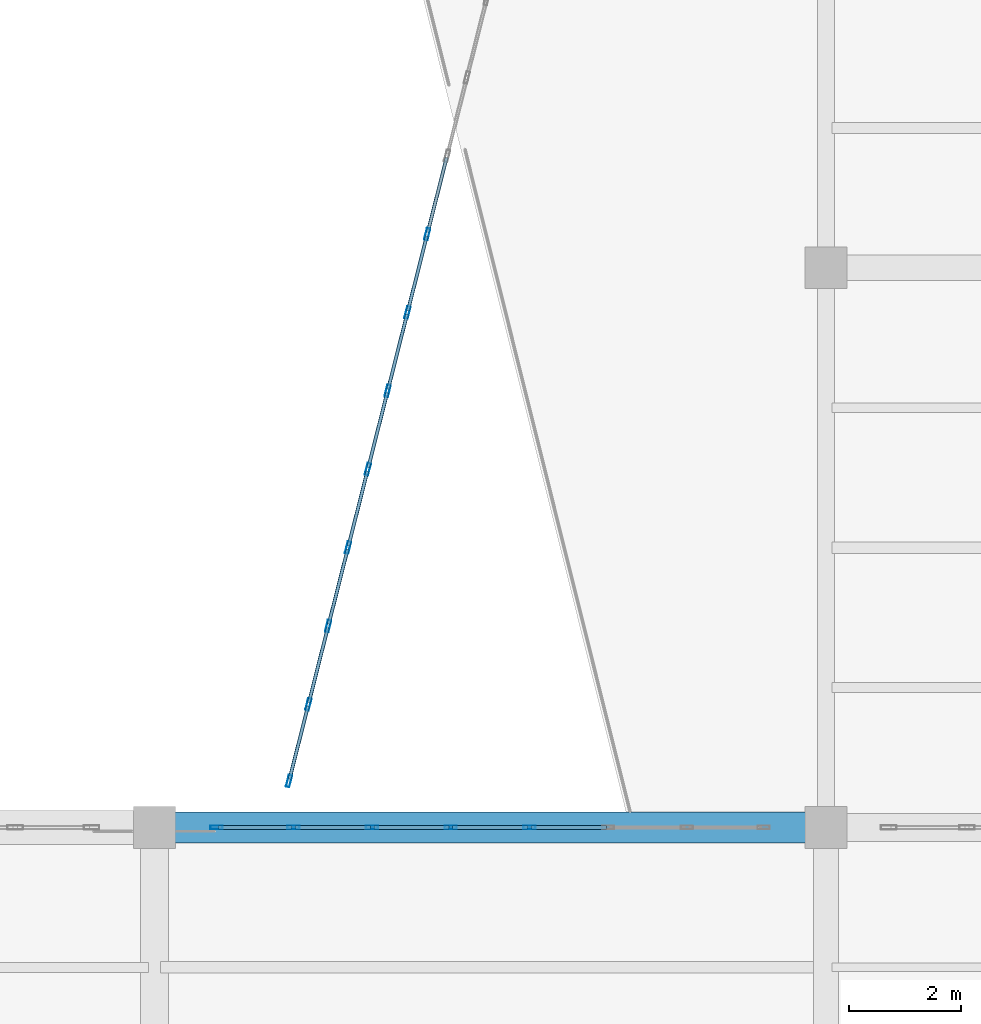
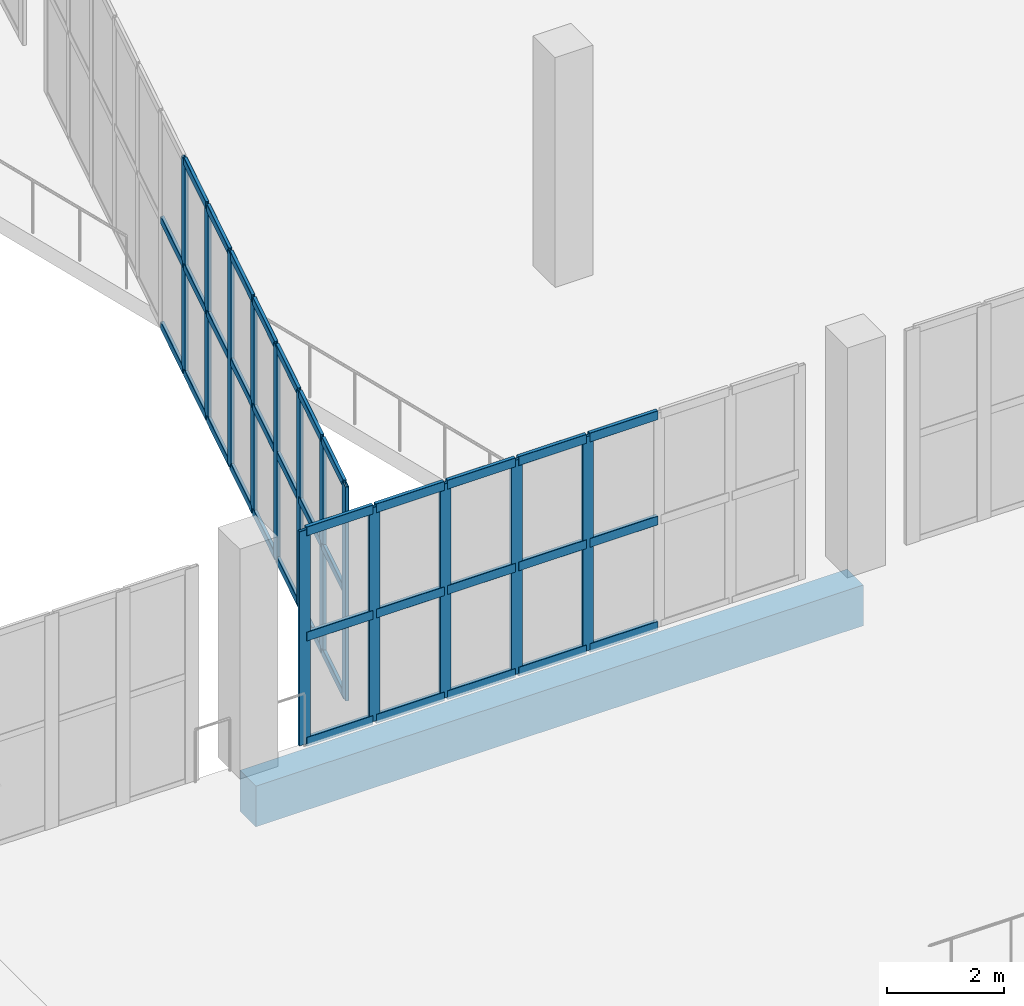
# One storey, part 29 of 136: 51 members, 1 beam, 2 elements without a shape of their own.
"""IFC4 building model written with IfcOpenShell, lengths in metres."""

from ifc_helpers import new_model, si_unit, direction, frame, origin, origin_2d, place, context, subcontext, project, spatial, rectangle, hollow_rectangle, extrude, material, layer, layer_set, material_profile, profile_set, type_object, element, aggregate, save


model = new_model("IFC4")

# Units and contexts
model_context = context("Model", 3, precision=1e-05, world=origin(), true_north=direction((0.0, 1.0)))
body_context = subcontext(model_context, "Body", "Model", "MODEL_VIEW")
ifc_project = project(units=[si_unit("LENGTHUNIT", "METRE"), si_unit("AREAUNIT", "SQUARE_METRE"), si_unit("VOLUMEUNIT", "CUBIC_METRE"), si_unit("PLANEANGLEUNIT", "RADIAN"), si_unit("MASSUNIT", "GRAM", prefix="KILO")], contexts=[model_context])

# Site, building, storey
site_placement = place(None, origin())
site = spatial("IfcSite", under=ifc_project, at=site_placement, CompositionType="ELEMENT")
building_placement = place(site_placement, origin())
building = spatial("IfcBuilding", under=site, at=building_placement, Name="Brinegate Civic Arena", CompositionType="ELEMENT")
storey_placement = place(building_placement, frame((0.0, 0.0, 5.39990234375)))
storey = spatial("IfcBuildingStorey", under=building, at=storey_placement, Name="L01", CompositionType="ELEMENT", Elevation=5.39990234375)

# Curtain wall, members
ifc_material_1 = material(Name="Marine grade aluminium", Category="aluminium")
ifc_layer_1 = layer(ifc_material_1, 0.215087890625, Name="Marine grade aluminium")
ifc_layer_set_1 = layer_set([ifc_layer_1], Name="Marine grade aluminium")
curtain_wall_type_1 = type_object("IfcCurtainWallType", Name="CW-FOYER-GLAZED-02", PredefinedType="USERDEFINED", material=ifc_layer_set_1)
curtain_wall_1_placement = place(storey_placement, origin())
curtain_wall_1 = element("IfcCurtainWall", 1, at=curtain_wall_1_placement, inside=storey, type_object=curtain_wall_type_1, Name="Curtain Wall CWA-001", ObjectType="GLAZED CURTAIN WALL", PredefinedType="USERDEFINED")
ifc_material_profile_1 = material_profile(ifc_material_1, hollow_rectangle(XDim=0.06494140625, YDim=0.219970703125, WallThickness=0.006103515625, InnerFilletRadius=0.00390625, OuterFilletRadius=0.008056640625, at=origin_2d()), Name="MUL65X220")
ifc_profile_set_1 = profile_set([ifc_material_profile_1], Name="Marine grade aluminium")
member_type_1 = type_object("IfcMemberType", Name="CW-MULLION-65X220", PredefinedType="MULLION", material=ifc_profile_set_1)
member_1_placement = place(storey_placement, frame((26.407958984375, 52.83154296875, 0.0), z_axis=(0.0, 0.0, 1.0), x_axis=(-0.969512556417, 0.245041635134, 0.0)))
member_1 = element("IfcMember", 2, at=member_1_placement, type_object=member_type_1, Name="CWA-001 mullion 1", PredefinedType="MULLION", context=body_context, shape_type="SweptSolid", body=[
    extrude(hollow_rectangle(XDim=0.06494140625, YDim=0.219970703125, WallThickness=0.006103515625, InnerFilletRadius=0.00390625, OuterFilletRadius=0.008056640625, at=origin_2d()), origin(), (0.0, 0.0, 1.0), 4.47021484375),
])
member_2_placement = place(storey_placement, frame((26.75390625, 54.199951171875, 0.0), z_axis=(0.0, 0.0, 1.0), x_axis=(-0.969512556417, 0.245041635134, 0.0)))
member_2 = element("IfcMember", 3, at=member_2_placement, type_object=member_type_1, Name="CWA-001 mullion 2", PredefinedType="MULLION", context=body_context, shape_type="SweptSolid", body=[
    extrude(hollow_rectangle(XDim=0.06494140625, YDim=0.219970703125, WallThickness=0.006103515625, InnerFilletRadius=0.00390625, OuterFilletRadius=0.008056640625, at=origin_2d()), origin(), (0.0, 0.0, 1.0), 4.47021484375),
])
member_3_placement = place(storey_placement, frame((27.107666015625, 55.60009765625, 0.0), z_axis=(0.0, 0.0, 1.0), x_axis=(-0.969512556417, 0.245041635134, 0.0)))
member_3 = element("IfcMember", 4, at=member_3_placement, type_object=member_type_1, Name="CWA-001 mullion 3", PredefinedType="MULLION", context=body_context, shape_type="SweptSolid", body=[
    extrude(hollow_rectangle(XDim=0.06494140625, YDim=0.219970703125, WallThickness=0.006103515625, InnerFilletRadius=0.00390625, OuterFilletRadius=0.008056640625, at=origin_2d()), origin(), (0.0, 0.0, 1.0), 4.47021484375),
])
member_4_placement = place(storey_placement, frame((27.46142578125, 57.0, 0.0), z_axis=(0.0, 0.0, 1.0), x_axis=(-0.969512556417, 0.245041635134, 0.0)))
member_4 = element("IfcMember", 5, at=member_4_placement, type_object=member_type_1, Name="CWA-001 mullion 4", PredefinedType="MULLION", context=body_context, shape_type="SweptSolid", body=[
    extrude(hollow_rectangle(XDim=0.06494140625, YDim=0.219970703125, WallThickness=0.006103515625, InnerFilletRadius=0.00390625, OuterFilletRadius=0.008056640625, at=origin_2d()), origin(), (0.0, 0.0, 1.0), 4.47021484375),
])
member_5_placement = place(storey_placement, frame((27.8154296875, 58.39990234375, 0.0), z_axis=(0.0, 0.0, 1.0), x_axis=(-0.969512556417, 0.245041635134, 0.0)))
member_5 = element("IfcMember", 6, at=member_5_placement, type_object=member_type_1, Name="CWA-001 mullion 5", PredefinedType="MULLION", context=body_context, shape_type="SweptSolid", body=[
    extrude(hollow_rectangle(XDim=0.06494140625, YDim=0.219970703125, WallThickness=0.006103515625, InnerFilletRadius=0.00390625, OuterFilletRadius=0.008056640625, at=origin_2d()), origin(), (0.0, 0.0, 1.0), 4.47021484375),
])
member_6_placement = place(storey_placement, frame((28.169189453125, 59.800048828125, 0.0), z_axis=(0.0, 0.0, 1.0), x_axis=(-0.969512556417, 0.245041635134, 0.0)))
member_6 = element("IfcMember", 7, at=member_6_placement, type_object=member_type_1, Name="CWA-001 mullion 6", PredefinedType="MULLION", context=body_context, shape_type="SweptSolid", body=[
    extrude(hollow_rectangle(XDim=0.06494140625, YDim=0.219970703125, WallThickness=0.006103515625, InnerFilletRadius=0.00390625, OuterFilletRadius=0.008056640625, at=origin_2d()), origin(), (0.0, 0.0, 1.0), 4.47021484375),
])
member_7_placement = place(storey_placement, frame((28.523193359375, 61.199951171875, 0.0), z_axis=(0.0, 0.0, 1.0), x_axis=(-0.969512556417, 0.245041635134, 0.0)))
member_7 = element("IfcMember", 8, at=member_7_placement, type_object=member_type_1, Name="CWA-001 mullion 7", PredefinedType="MULLION", context=body_context, shape_type="SweptSolid", body=[
    extrude(hollow_rectangle(XDim=0.06494140625, YDim=0.219970703125, WallThickness=0.006103515625, InnerFilletRadius=0.00390625, OuterFilletRadius=0.008056640625, at=origin_2d()), origin(), (0.0, 0.0, 1.0), 4.47021484375),
])
member_8_placement = place(storey_placement, frame((28.876953125, 62.60009765625, 0.0), z_axis=(0.0, 0.0, 1.0), x_axis=(-0.969512556417, 0.245041635134, 0.0)))
member_8 = element("IfcMember", 9, at=member_8_placement, type_object=member_type_1, Name="CWA-001 mullion 8", PredefinedType="MULLION", context=body_context, shape_type="SweptSolid", body=[
    extrude(hollow_rectangle(XDim=0.06494140625, YDim=0.219970703125, WallThickness=0.006103515625, InnerFilletRadius=0.00390625, OuterFilletRadius=0.008056640625, at=origin_2d()), origin(), (0.0, 0.0, 1.0), 4.47021484375),
])

ifc_layer_2 = layer(ifc_material_1, 0.18505859375, Name="Marine grade aluminium")
ifc_layer_set_2 = layer_set([ifc_layer_2], Name="Marine grade aluminium")
curtain_wall_type_2 = type_object("IfcCurtainWallType", Name="CW-WING-GLAZED-03", PredefinedType="USERDEFINED", material=ifc_layer_set_2)
curtain_wall_2_placement = place(storey_placement, origin())
curtain_wall_2 = element("IfcCurtainWall", 10, at=curtain_wall_2_placement, inside=storey, type_object=curtain_wall_type_2, Name="Curtain Wall CWA-016", ObjectType="GLAZED CURTAIN WALL", PredefinedType="USERDEFINED")
member_9_placement = place(storey_placement, frame((25.112548828125, 52.0, 0.0), z_axis=(0.0, 0.0, 1.0), x_axis=(0.0, 1.0, 0.0)))
member_9 = element("IfcMember", 11, at=member_9_placement, type_object=member_type_1, Name="CWA-016 mullion 1", PredefinedType="MULLION", context=body_context, shape_type="SweptSolid", body=[
    extrude(hollow_rectangle(XDim=0.06494140625, YDim=0.219970703125, WallThickness=0.006103515625, InnerFilletRadius=0.00390625, OuterFilletRadius=0.008056640625, at=origin_2d()), origin(), (0.0, 0.0, 1.0), 4.47021484375),
])
member_10_placement = place(storey_placement, frame((26.485595703125, 52.0, 0.0), z_axis=(0.0, 0.0, 1.0), x_axis=(0.0, 1.0, 0.0)))
member_10 = element("IfcMember", 12, at=member_10_placement, type_object=member_type_1, Name="CWA-016 mullion 2", PredefinedType="MULLION", context=body_context, shape_type="SweptSolid", body=[
    extrude(hollow_rectangle(XDim=0.06494140625, YDim=0.219970703125, WallThickness=0.006103515625, InnerFilletRadius=0.00390625, OuterFilletRadius=0.008056640625, at=origin_2d()), origin(), (0.0, 0.0, 1.0), 4.47021484375),
])
member_11_placement = place(storey_placement, frame((27.891357421875, 52.0, 0.0), z_axis=(0.0, 0.0, 1.0), x_axis=(0.0, 1.0, 0.0)))
member_11 = element("IfcMember", 13, at=member_11_placement, type_object=member_type_1, Name="CWA-016 mullion 3", PredefinedType="MULLION", context=body_context, shape_type="SweptSolid", body=[
    extrude(hollow_rectangle(XDim=0.06494140625, YDim=0.219970703125, WallThickness=0.006103515625, InnerFilletRadius=0.00390625, OuterFilletRadius=0.008056640625, at=origin_2d()), origin(), (0.0, 0.0, 1.0), 4.47021484375),
])
member_12_placement = place(storey_placement, frame((29.297119140625, 52.0, 0.0), z_axis=(0.0, 0.0, 1.0), x_axis=(0.0, 1.0, 0.0)))
member_12 = element("IfcMember", 14, at=member_12_placement, type_object=member_type_1, Name="CWA-016 mullion 4", PredefinedType="MULLION", context=body_context, shape_type="SweptSolid", body=[
    extrude(hollow_rectangle(XDim=0.06494140625, YDim=0.219970703125, WallThickness=0.006103515625, InnerFilletRadius=0.00390625, OuterFilletRadius=0.008056640625, at=origin_2d()), origin(), (0.0, 0.0, 1.0), 4.47021484375),
])
member_13_placement = place(storey_placement, frame((30.702880859375, 52.0, 0.0), z_axis=(0.0, 0.0, 1.0), x_axis=(0.0, 1.0, 0.0)))
member_13 = element("IfcMember", 15, at=member_13_placement, type_object=member_type_1, Name="CWA-016 mullion 5", PredefinedType="MULLION", context=body_context, shape_type="SweptSolid", body=[
    extrude(hollow_rectangle(XDim=0.06494140625, YDim=0.219970703125, WallThickness=0.006103515625, InnerFilletRadius=0.00390625, OuterFilletRadius=0.008056640625, at=origin_2d()), origin(), (0.0, 0.0, 1.0), 4.47021484375),
])

# Member
ifc_material_profile_2 = material_profile(ifc_material_1, hollow_rectangle(XDim=0.06494140625, YDim=0.1650390625, WallThickness=0.0048828125, InnerFilletRadius=0.00390625, OuterFilletRadius=0.008056640625, at=origin_2d()), Name="TRN65X165")
ifc_profile_set_2 = profile_set([ifc_material_profile_2], Name="Marine grade aluminium")
member_type_2 = type_object("IfcMemberType", Name="CW-TRANSOM-65X165", PredefinedType="USERDEFINED", material=ifc_profile_set_2)
member_14_placement = place(storey_placement, frame((26.416015625, 52.863037109375, 0.03271484375), z_axis=(0.244966717953, 0.96953148845, 0.0), x_axis=(-0.96953148845, 0.244966717953, 0.0)))
member_14 = element("IfcMember", 16, at=member_14_placement, type_object=member_type_2, Name="CWA-001 transom 1.1", ObjectType="TRANSOM", PredefinedType="USERDEFINED", context=body_context, shape_type="SweptSolid", body=[
    extrude(hollow_rectangle(XDim=0.06494140625, YDim=0.1650390625, WallThickness=0.0048828125, InnerFilletRadius=0.00390625, OuterFilletRadius=0.008056640625, at=origin_2d()), origin(), (0.0, 0.0, 1.0), 1.346435546875),
])

member_15_placement = place(storey_placement, frame((26.416015625, 52.863037109375, 2.235107421875), z_axis=(0.244966717953, 0.96953148845, 0.0), x_axis=(-0.96953148845, 0.244966717953, 0.0)))
member_15 = element("IfcMember", 17, at=member_15_placement, type_object=member_type_2, Name="CWA-001 transom 1.2", ObjectType="TRANSOM", PredefinedType="USERDEFINED", context=body_context, shape_type="SweptSolid", body=[
    extrude(hollow_rectangle(XDim=0.06494140625, YDim=0.1650390625, WallThickness=0.0048828125, InnerFilletRadius=0.00390625, OuterFilletRadius=0.008056640625, at=origin_2d()), origin(), (0.0, 0.0, 1.0), 1.346435546875),
])

member_16_placement = place(storey_placement, frame((26.416015625, 52.863037109375, 4.4375), z_axis=(0.244966717953, 0.96953148845, 0.0), x_axis=(-0.96953148845, 0.244966717953, 0.0)))
member_16 = element("IfcMember", 18, at=member_16_placement, type_object=member_type_2, Name="CWA-001 transom 1.3", ObjectType="TRANSOM", PredefinedType="USERDEFINED", context=body_context, shape_type="SweptSolid", body=[
    extrude(hollow_rectangle(XDim=0.06494140625, YDim=0.1650390625, WallThickness=0.0048828125, InnerFilletRadius=0.00390625, OuterFilletRadius=0.008056640625, at=origin_2d()), origin(), (0.0, 0.0, 1.0), 1.346435546875),
])

member_17_placement = place(storey_placement, frame((26.76171875, 54.2314453125, 0.03271484375), z_axis=(0.24499226682, 0.969525032786, 0.0), x_axis=(-0.969525032786, 0.24499226682, 0.0)))
member_17 = element("IfcMember", 19, at=member_17_placement, type_object=member_type_2, Name="CWA-001 transom 2.1", ObjectType="TRANSOM", PredefinedType="USERDEFINED", context=body_context, shape_type="SweptSolid", body=[
    extrude(hollow_rectangle(XDim=0.06494140625, YDim=0.1650390625, WallThickness=0.0048828125, InnerFilletRadius=0.00390625, OuterFilletRadius=0.008056640625, at=origin_2d()), origin(), (0.0, 0.0, 1.0), 1.379150390625),
])

member_18_placement = place(storey_placement, frame((26.76171875, 54.2314453125, 2.235107421875), z_axis=(0.24499226682, 0.969525032786, 0.0), x_axis=(-0.969525032786, 0.24499226682, 0.0)))
member_18 = element("IfcMember", 20, at=member_18_placement, type_object=member_type_2, Name="CWA-001 transom 2.2", ObjectType="TRANSOM", PredefinedType="USERDEFINED", context=body_context, shape_type="SweptSolid", body=[
    extrude(hollow_rectangle(XDim=0.06494140625, YDim=0.1650390625, WallThickness=0.0048828125, InnerFilletRadius=0.00390625, OuterFilletRadius=0.008056640625, at=origin_2d()), origin(), (0.0, 0.0, 1.0), 1.379150390625),
])

member_19_placement = place(storey_placement, frame((26.76171875, 54.2314453125, 4.4375), z_axis=(0.24499226682, 0.969525032786, 0.0), x_axis=(-0.969525032786, 0.24499226682, 0.0)))
member_19 = element("IfcMember", 21, at=member_19_placement, type_object=member_type_2, Name="CWA-001 transom 2.3", ObjectType="TRANSOM", PredefinedType="USERDEFINED", context=body_context, shape_type="SweptSolid", body=[
    extrude(hollow_rectangle(XDim=0.06494140625, YDim=0.1650390625, WallThickness=0.0048828125, InnerFilletRadius=0.00390625, OuterFilletRadius=0.008056640625, at=origin_2d()), origin(), (0.0, 0.0, 1.0), 1.379150390625),
])

member_20_placement = place(storey_placement, frame((27.11572265625, 55.631591796875, 0.03271484375), z_axis=(0.245034320098, 0.969514405243, 0.0), x_axis=(-0.969514405243, 0.245034320098, 0.0)))
member_20 = element("IfcMember", 22, at=member_20_placement, type_object=member_type_2, Name="CWA-001 transom 3.1", ObjectType="TRANSOM", PredefinedType="USERDEFINED", context=body_context, shape_type="SweptSolid", body=[
    extrude(hollow_rectangle(XDim=0.06494140625, YDim=0.1650390625, WallThickness=0.0048828125, InnerFilletRadius=0.00390625, OuterFilletRadius=0.008056640625, at=origin_2d()), origin(), (0.0, 0.0, 1.0), 1.37890625),
])

member_21_placement = place(storey_placement, frame((27.11572265625, 55.631591796875, 2.235107421875), z_axis=(0.245034320098, 0.969514405243, 0.0), x_axis=(-0.969514405243, 0.245034320098, 0.0)))
member_21 = element("IfcMember", 23, at=member_21_placement, type_object=member_type_2, Name="CWA-001 transom 3.2", ObjectType="TRANSOM", PredefinedType="USERDEFINED", context=body_context, shape_type="SweptSolid", body=[
    extrude(hollow_rectangle(XDim=0.06494140625, YDim=0.1650390625, WallThickness=0.0048828125, InnerFilletRadius=0.00390625, OuterFilletRadius=0.008056640625, at=origin_2d()), origin(), (0.0, 0.0, 1.0), 1.37890625),
])

member_22_placement = place(storey_placement, frame((27.11572265625, 55.631591796875, 4.4375), z_axis=(0.245034320098, 0.969514405243, 0.0), x_axis=(-0.969514405243, 0.245034320098, 0.0)))
member_22 = element("IfcMember", 24, at=member_22_placement, type_object=member_type_2, Name="CWA-001 transom 3.3", ObjectType="TRANSOM", PredefinedType="USERDEFINED", context=body_context, shape_type="SweptSolid", body=[
    extrude(hollow_rectangle(XDim=0.06494140625, YDim=0.1650390625, WallThickness=0.0048828125, InnerFilletRadius=0.00390625, OuterFilletRadius=0.008056640625, at=origin_2d()), origin(), (0.0, 0.0, 1.0), 1.37890625),
])

member_23_placement = place(storey_placement, frame((27.469482421875, 57.031494140625, 0.03271484375), z_axis=(0.245034320098, 0.969514405243, 0.0), x_axis=(-0.969514405243, 0.245034320098, 0.0)))
member_23 = element("IfcMember", 25, at=member_23_placement, type_object=member_type_2, Name="CWA-001 transom 4.1", ObjectType="TRANSOM", PredefinedType="USERDEFINED", context=body_context, shape_type="SweptSolid", body=[
    extrude(hollow_rectangle(XDim=0.06494140625, YDim=0.1650390625, WallThickness=0.0048828125, InnerFilletRadius=0.00390625, OuterFilletRadius=0.008056640625, at=origin_2d()), origin(), (0.0, 0.0, 1.0), 1.37890625),
])

member_24_placement = place(storey_placement, frame((27.469482421875, 57.031494140625, 2.235107421875), z_axis=(0.245034320098, 0.969514405243, 0.0), x_axis=(-0.969514405243, 0.245034320098, 0.0)))
member_24 = element("IfcMember", 26, at=member_24_placement, type_object=member_type_2, Name="CWA-001 transom 4.2", ObjectType="TRANSOM", PredefinedType="USERDEFINED", context=body_context, shape_type="SweptSolid", body=[
    extrude(hollow_rectangle(XDim=0.06494140625, YDim=0.1650390625, WallThickness=0.0048828125, InnerFilletRadius=0.00390625, OuterFilletRadius=0.008056640625, at=origin_2d()), origin(), (0.0, 0.0, 1.0), 1.37890625),
])

member_25_placement = place(storey_placement, frame((27.469482421875, 57.031494140625, 4.4375), z_axis=(0.245034320098, 0.969514405243, 0.0), x_axis=(-0.969514405243, 0.245034320098, 0.0)))
member_25 = element("IfcMember", 27, at=member_25_placement, type_object=member_type_2, Name="CWA-001 transom 4.3", ObjectType="TRANSOM", PredefinedType="USERDEFINED", context=body_context, shape_type="SweptSolid", body=[
    extrude(hollow_rectangle(XDim=0.06494140625, YDim=0.1650390625, WallThickness=0.0048828125, InnerFilletRadius=0.00390625, OuterFilletRadius=0.008056640625, at=origin_2d()), origin(), (0.0, 0.0, 1.0), 1.37890625),
])

member_26_placement = place(storey_placement, frame((27.8232421875, 58.431396484375, 0.03271484375), z_axis=(0.245158648722, 0.969482974042, 0.0), x_axis=(-0.969482974042, 0.245158648722, 0.0)))
member_26 = element("IfcMember", 28, at=member_26_placement, type_object=member_type_2, Name="CWA-001 transom 5.1", ObjectType="TRANSOM", PredefinedType="USERDEFINED", context=body_context, shape_type="SweptSolid", body=[
    extrude(hollow_rectangle(XDim=0.06494140625, YDim=0.1650390625, WallThickness=0.0048828125, InnerFilletRadius=0.00390625, OuterFilletRadius=0.008056640625, at=origin_2d()), origin(), (0.0, 0.0, 1.0), 1.379150390625),
])

member_27_placement = place(storey_placement, frame((27.8232421875, 58.431396484375, 2.235107421875), z_axis=(0.245158648722, 0.969482974042, 0.0), x_axis=(-0.969482974042, 0.245158648722, 0.0)))
member_27 = element("IfcMember", 29, at=member_27_placement, type_object=member_type_2, Name="CWA-001 transom 5.2", ObjectType="TRANSOM", PredefinedType="USERDEFINED", context=body_context, shape_type="SweptSolid", body=[
    extrude(hollow_rectangle(XDim=0.06494140625, YDim=0.1650390625, WallThickness=0.0048828125, InnerFilletRadius=0.00390625, OuterFilletRadius=0.008056640625, at=origin_2d()), origin(), (0.0, 0.0, 1.0), 1.379150390625),
])

member_28_placement = place(storey_placement, frame((27.8232421875, 58.431396484375, 4.4375), z_axis=(0.245158648722, 0.969482974042, 0.0), x_axis=(-0.969482974042, 0.245158648722, 0.0)))
member_28 = element("IfcMember", 30, at=member_28_placement, type_object=member_type_2, Name="CWA-001 transom 5.3", ObjectType="TRANSOM", PredefinedType="USERDEFINED", context=body_context, shape_type="SweptSolid", body=[
    extrude(hollow_rectangle(XDim=0.06494140625, YDim=0.1650390625, WallThickness=0.0048828125, InnerFilletRadius=0.00390625, OuterFilletRadius=0.008056640625, at=origin_2d()), origin(), (0.0, 0.0, 1.0), 1.379150390625),
])

member_29_placement = place(storey_placement, frame((28.17724609375, 59.83154296875, 0.03271484375), z_axis=(0.245034320098, 0.969514405243, 0.0), x_axis=(-0.969514405243, 0.245034320098, 0.0)))
member_29 = element("IfcMember", 31, at=member_29_placement, type_object=member_type_2, Name="CWA-001 transom 6.1", ObjectType="TRANSOM", PredefinedType="USERDEFINED", context=body_context, shape_type="SweptSolid", body=[
    extrude(hollow_rectangle(XDim=0.06494140625, YDim=0.1650390625, WallThickness=0.0048828125, InnerFilletRadius=0.00390625, OuterFilletRadius=0.008056640625, at=origin_2d()), origin(), (0.0, 0.0, 1.0), 1.37890625),
])

member_30_placement = place(storey_placement, frame((28.17724609375, 59.83154296875, 2.235107421875), z_axis=(0.245034320098, 0.969514405243, 0.0), x_axis=(-0.969514405243, 0.245034320098, 0.0)))
member_30 = element("IfcMember", 32, at=member_30_placement, type_object=member_type_2, Name="CWA-001 transom 6.2", ObjectType="TRANSOM", PredefinedType="USERDEFINED", context=body_context, shape_type="SweptSolid", body=[
    extrude(hollow_rectangle(XDim=0.06494140625, YDim=0.1650390625, WallThickness=0.0048828125, InnerFilletRadius=0.00390625, OuterFilletRadius=0.008056640625, at=origin_2d()), origin(), (0.0, 0.0, 1.0), 1.37890625),
])

member_31_placement = place(storey_placement, frame((28.17724609375, 59.83154296875, 4.4375), z_axis=(0.245034320098, 0.969514405243, 0.0), x_axis=(-0.969514405243, 0.245034320098, 0.0)))
member_31 = element("IfcMember", 33, at=member_31_placement, type_object=member_type_2, Name="CWA-001 transom 6.3", ObjectType="TRANSOM", PredefinedType="USERDEFINED", context=body_context, shape_type="SweptSolid", body=[
    extrude(hollow_rectangle(XDim=0.06494140625, YDim=0.1650390625, WallThickness=0.0048828125, InnerFilletRadius=0.00390625, OuterFilletRadius=0.008056640625, at=origin_2d()), origin(), (0.0, 0.0, 1.0), 1.37890625),
])

member_32_placement = place(storey_placement, frame((28.531005859375, 61.2314453125, 0.03271484375), z_axis=(0.24499226682, 0.969525032786, 0.0), x_axis=(-0.969525032786, 0.24499226682, 0.0)))
member_32 = element("IfcMember", 34, at=member_32_placement, type_object=member_type_2, Name="CWA-001 transom 7.1", ObjectType="TRANSOM", PredefinedType="USERDEFINED", context=body_context, shape_type="SweptSolid", body=[
    extrude(hollow_rectangle(XDim=0.06494140625, YDim=0.1650390625, WallThickness=0.0048828125, InnerFilletRadius=0.00390625, OuterFilletRadius=0.008056640625, at=origin_2d()), origin(), (0.0, 0.0, 1.0), 1.379150390625),
])

member_33_placement = place(storey_placement, frame((28.531005859375, 61.2314453125, 2.235107421875), z_axis=(0.24499226682, 0.969525032786, 0.0), x_axis=(-0.969525032786, 0.24499226682, 0.0)))
member_33 = element("IfcMember", 35, at=member_33_placement, type_object=member_type_2, Name="CWA-001 transom 7.2", ObjectType="TRANSOM", PredefinedType="USERDEFINED", context=body_context, shape_type="SweptSolid", body=[
    extrude(hollow_rectangle(XDim=0.06494140625, YDim=0.1650390625, WallThickness=0.0048828125, InnerFilletRadius=0.00390625, OuterFilletRadius=0.008056640625, at=origin_2d()), origin(), (0.0, 0.0, 1.0), 1.379150390625),
])

member_34_placement = place(storey_placement, frame((28.531005859375, 61.2314453125, 4.4375), z_axis=(0.24499226682, 0.969525032786, 0.0), x_axis=(-0.969525032786, 0.24499226682, 0.0)))
member_34 = element("IfcMember", 36, at=member_34_placement, type_object=member_type_2, Name="CWA-001 transom 7.3", ObjectType="TRANSOM", PredefinedType="USERDEFINED", context=body_context, shape_type="SweptSolid", body=[
    extrude(hollow_rectangle(XDim=0.06494140625, YDim=0.1650390625, WallThickness=0.0048828125, InnerFilletRadius=0.00390625, OuterFilletRadius=0.008056640625, at=origin_2d()), origin(), (0.0, 0.0, 1.0), 1.379150390625),
])

member_35_placement = place(storey_placement, frame((28.884765625, 62.631591796875, 0.03271484375), z_axis=(0.245200726907, 0.969472332521, 0.0), x_axis=(-0.969472332521, 0.245200726907, 0.0)))
member_35 = element("IfcMember", 37, at=member_35_placement, type_object=member_type_2, Name="CWA-001 transom 8.1", ObjectType="TRANSOM", PredefinedType="USERDEFINED", context=body_context, shape_type="SweptSolid", body=[
    extrude(hollow_rectangle(XDim=0.06494140625, YDim=0.1650390625, WallThickness=0.0048828125, InnerFilletRadius=0.00390625, OuterFilletRadius=0.008056640625, at=origin_2d()), origin(), (0.0, 0.0, 1.0), 1.37890625),
])

member_36_placement = place(storey_placement, frame((28.884765625, 62.631591796875, 2.235107421875), z_axis=(0.245200726907, 0.969472332521, 0.0), x_axis=(-0.969472332521, 0.245200726907, 0.0)))
member_36 = element("IfcMember", 38, at=member_36_placement, type_object=member_type_2, Name="CWA-001 transom 8.2", ObjectType="TRANSOM", PredefinedType="USERDEFINED", context=body_context, shape_type="SweptSolid", body=[
    extrude(hollow_rectangle(XDim=0.06494140625, YDim=0.1650390625, WallThickness=0.0048828125, InnerFilletRadius=0.00390625, OuterFilletRadius=0.008056640625, at=origin_2d()), origin(), (0.0, 0.0, 1.0), 1.37890625),
])

aggregate(curtain_wall_1, [member_1, member_2, member_3, member_4, member_5, member_6, member_7, member_8, member_14, member_15, member_16, member_17, member_18, member_19, member_20, member_21, member_22, member_23, member_24, member_25, member_26, member_27, member_28, member_29, member_30, member_31, member_32, member_33, member_34, member_35, member_36])

ifc_material_profile_3 = material_profile(ifc_material_1, hollow_rectangle(XDim=0.074951171875, YDim=0.18994140625, WallThickness=0.006103515625, InnerFilletRadius=0.00390625, OuterFilletRadius=0.008056640625, at=origin_2d()), Name="TRN75X190")
ifc_profile_set_3 = profile_set([ifc_material_profile_3], Name="Marine grade aluminium")
member_type_3 = type_object("IfcMemberType", Name="CW-TRANSOM-75X190", PredefinedType="USERDEFINED", material=ifc_profile_set_3)
member_37_placement = place(storey_placement, frame((25.14501953125, 52.0, 0.03759765625), z_axis=(1.0, 0.0, 0.0), x_axis=(0.0, 1.0, 0.0)))
member_37 = element("IfcMember", 39, at=member_37_placement, type_object=member_type_3, Name="CWA-016 transom 1.1", ObjectType="TRANSOM", PredefinedType="USERDEFINED", context=body_context, shape_type="SweptSolid", body=[
    extrude(hollow_rectangle(XDim=0.074951171875, YDim=0.18994140625, WallThickness=0.006103515625, InnerFilletRadius=0.00390625, OuterFilletRadius=0.008056640625, at=origin_2d()), origin(), (0.0, 0.0, 1.0), 1.30810546875),
])

member_38_placement = place(storey_placement, frame((25.14501953125, 52.0, 2.235107421875), z_axis=(1.0, 0.0, 0.0), x_axis=(0.0, 1.0, 0.0)))
member_38 = element("IfcMember", 40, at=member_38_placement, type_object=member_type_3, Name="CWA-016 transom 1.2", ObjectType="TRANSOM", PredefinedType="USERDEFINED", context=body_context, shape_type="SweptSolid", body=[
    extrude(hollow_rectangle(XDim=0.074951171875, YDim=0.18994140625, WallThickness=0.006103515625, InnerFilletRadius=0.00390625, OuterFilletRadius=0.008056640625, at=origin_2d()), origin(), (0.0, 0.0, 1.0), 1.30810546875),
])

member_39_placement = place(storey_placement, frame((25.14501953125, 52.0, 4.4326171875), z_axis=(1.0, 0.0, 0.0), x_axis=(0.0, 1.0, 0.0)))
member_39 = element("IfcMember", 41, at=member_39_placement, type_object=member_type_3, Name="CWA-016 transom 1.3", ObjectType="TRANSOM", PredefinedType="USERDEFINED", context=body_context, shape_type="SweptSolid", body=[
    extrude(hollow_rectangle(XDim=0.074951171875, YDim=0.18994140625, WallThickness=0.006103515625, InnerFilletRadius=0.00390625, OuterFilletRadius=0.008056640625, at=origin_2d()), origin(), (0.0, 0.0, 1.0), 1.30810546875),
])

member_40_placement = place(storey_placement, frame((26.518310546875, 52.0, 0.03759765625), z_axis=(1.0, 0.0, 0.0), x_axis=(0.0, 1.0, 0.0)))
member_40 = element("IfcMember", 42, at=member_40_placement, type_object=member_type_3, Name="CWA-016 transom 2.1", ObjectType="TRANSOM", PredefinedType="USERDEFINED", context=body_context, shape_type="SweptSolid", body=[
    extrude(hollow_rectangle(XDim=0.074951171875, YDim=0.18994140625, WallThickness=0.006103515625, InnerFilletRadius=0.00390625, OuterFilletRadius=0.008056640625, at=origin_2d()), origin(), (0.0, 0.0, 1.0), 1.340576171875),
])

member_41_placement = place(storey_placement, frame((26.518310546875, 52.0, 2.235107421875), z_axis=(1.0, 0.0, 0.0), x_axis=(0.0, 1.0, 0.0)))
member_41 = element("IfcMember", 43, at=member_41_placement, type_object=member_type_3, Name="CWA-016 transom 2.2", ObjectType="TRANSOM", PredefinedType="USERDEFINED", context=body_context, shape_type="SweptSolid", body=[
    extrude(hollow_rectangle(XDim=0.074951171875, YDim=0.18994140625, WallThickness=0.006103515625, InnerFilletRadius=0.00390625, OuterFilletRadius=0.008056640625, at=origin_2d()), origin(), (0.0, 0.0, 1.0), 1.340576171875),
])

member_42_placement = place(storey_placement, frame((26.518310546875, 52.0, 4.4326171875), z_axis=(1.0, 0.0, 0.0), x_axis=(0.0, 1.0, 0.0)))
member_42 = element("IfcMember", 44, at=member_42_placement, type_object=member_type_3, Name="CWA-016 transom 2.3", ObjectType="TRANSOM", PredefinedType="USERDEFINED", context=body_context, shape_type="SweptSolid", body=[
    extrude(hollow_rectangle(XDim=0.074951171875, YDim=0.18994140625, WallThickness=0.006103515625, InnerFilletRadius=0.00390625, OuterFilletRadius=0.008056640625, at=origin_2d()), origin(), (0.0, 0.0, 1.0), 1.340576171875),
])

member_43_placement = place(storey_placement, frame((27.923828125, 52.0, 0.03759765625), z_axis=(1.0, 0.0, 0.0), x_axis=(0.0, 1.0, 0.0)))
member_43 = element("IfcMember", 45, at=member_43_placement, type_object=member_type_3, Name="CWA-016 transom 3.1", ObjectType="TRANSOM", PredefinedType="USERDEFINED", context=body_context, shape_type="SweptSolid", body=[
    extrude(hollow_rectangle(XDim=0.074951171875, YDim=0.18994140625, WallThickness=0.006103515625, InnerFilletRadius=0.00390625, OuterFilletRadius=0.008056640625, at=origin_2d()), origin(), (0.0, 0.0, 1.0), 1.3408203125),
])

member_44_placement = place(storey_placement, frame((27.923828125, 52.0, 2.235107421875), z_axis=(1.0, 0.0, 0.0), x_axis=(0.0, 1.0, 0.0)))
member_44 = element("IfcMember", 46, at=member_44_placement, type_object=member_type_3, Name="CWA-016 transom 3.2", ObjectType="TRANSOM", PredefinedType="USERDEFINED", context=body_context, shape_type="SweptSolid", body=[
    extrude(hollow_rectangle(XDim=0.074951171875, YDim=0.18994140625, WallThickness=0.006103515625, InnerFilletRadius=0.00390625, OuterFilletRadius=0.008056640625, at=origin_2d()), origin(), (0.0, 0.0, 1.0), 1.3408203125),
])

member_45_placement = place(storey_placement, frame((27.923828125, 52.0, 4.4326171875), z_axis=(1.0, 0.0, 0.0), x_axis=(0.0, 1.0, 0.0)))
member_45 = element("IfcMember", 47, at=member_45_placement, type_object=member_type_3, Name="CWA-016 transom 3.3", ObjectType="TRANSOM", PredefinedType="USERDEFINED", context=body_context, shape_type="SweptSolid", body=[
    extrude(hollow_rectangle(XDim=0.074951171875, YDim=0.18994140625, WallThickness=0.006103515625, InnerFilletRadius=0.00390625, OuterFilletRadius=0.008056640625, at=origin_2d()), origin(), (0.0, 0.0, 1.0), 1.3408203125),
])

member_46_placement = place(storey_placement, frame((29.32958984375, 52.0, 0.03759765625), z_axis=(1.0, 0.0, 0.0), x_axis=(0.0, 1.0, 0.0)))
member_46 = element("IfcMember", 48, at=member_46_placement, type_object=member_type_3, Name="CWA-016 transom 4.1", ObjectType="TRANSOM", PredefinedType="USERDEFINED", context=body_context, shape_type="SweptSolid", body=[
    extrude(hollow_rectangle(XDim=0.074951171875, YDim=0.18994140625, WallThickness=0.006103515625, InnerFilletRadius=0.00390625, OuterFilletRadius=0.008056640625, at=origin_2d()), origin(), (0.0, 0.0, 1.0), 1.3408203125),
])

member_47_placement = place(storey_placement, frame((29.32958984375, 52.0, 2.235107421875), z_axis=(1.0, 0.0, 0.0), x_axis=(0.0, 1.0, 0.0)))
member_47 = element("IfcMember", 49, at=member_47_placement, type_object=member_type_3, Name="CWA-016 transom 4.2", ObjectType="TRANSOM", PredefinedType="USERDEFINED", context=body_context, shape_type="SweptSolid", body=[
    extrude(hollow_rectangle(XDim=0.074951171875, YDim=0.18994140625, WallThickness=0.006103515625, InnerFilletRadius=0.00390625, OuterFilletRadius=0.008056640625, at=origin_2d()), origin(), (0.0, 0.0, 1.0), 1.3408203125),
])

member_48_placement = place(storey_placement, frame((29.32958984375, 52.0, 4.4326171875), z_axis=(1.0, 0.0, 0.0), x_axis=(0.0, 1.0, 0.0)))
member_48 = element("IfcMember", 50, at=member_48_placement, type_object=member_type_3, Name="CWA-016 transom 4.3", ObjectType="TRANSOM", PredefinedType="USERDEFINED", context=body_context, shape_type="SweptSolid", body=[
    extrude(hollow_rectangle(XDim=0.074951171875, YDim=0.18994140625, WallThickness=0.006103515625, InnerFilletRadius=0.00390625, OuterFilletRadius=0.008056640625, at=origin_2d()), origin(), (0.0, 0.0, 1.0), 1.3408203125),
])

member_49_placement = place(storey_placement, frame((30.7353515625, 52.0, 0.03759765625), z_axis=(1.0, 0.0, 0.0), x_axis=(0.0, 1.0, 0.0)))
member_49 = element("IfcMember", 51, at=member_49_placement, type_object=member_type_3, Name="CWA-016 transom 5.1", ObjectType="TRANSOM", PredefinedType="USERDEFINED", context=body_context, shape_type="SweptSolid", body=[
    extrude(hollow_rectangle(XDim=0.074951171875, YDim=0.18994140625, WallThickness=0.006103515625, InnerFilletRadius=0.00390625, OuterFilletRadius=0.008056640625, at=origin_2d()), origin(), (0.0, 0.0, 1.0), 1.3408203125),
])

member_50_placement = place(storey_placement, frame((30.7353515625, 52.0, 2.235107421875), z_axis=(1.0, 0.0, 0.0), x_axis=(0.0, 1.0, 0.0)))
member_50 = element("IfcMember", 52, at=member_50_placement, type_object=member_type_3, Name="CWA-016 transom 5.2", ObjectType="TRANSOM", PredefinedType="USERDEFINED", context=body_context, shape_type="SweptSolid", body=[
    extrude(hollow_rectangle(XDim=0.074951171875, YDim=0.18994140625, WallThickness=0.006103515625, InnerFilletRadius=0.00390625, OuterFilletRadius=0.008056640625, at=origin_2d()), origin(), (0.0, 0.0, 1.0), 1.3408203125),
])

member_51_placement = place(storey_placement, frame((30.7353515625, 52.0, 4.4326171875), z_axis=(1.0, 0.0, 0.0), x_axis=(0.0, 1.0, 0.0)))
member_51 = element("IfcMember", 53, at=member_51_placement, type_object=member_type_3, Name="CWA-016 transom 5.3", ObjectType="TRANSOM", PredefinedType="USERDEFINED", context=body_context, shape_type="SweptSolid", body=[
    extrude(hollow_rectangle(XDim=0.074951171875, YDim=0.18994140625, WallThickness=0.006103515625, InnerFilletRadius=0.00390625, OuterFilletRadius=0.008056640625, at=origin_2d()), origin(), (0.0, 0.0, 1.0), 1.3408203125),
])

aggregate(curtain_wall_2, [member_9, member_10, member_11, member_12, member_13, member_37, member_38, member_39, member_40, member_41, member_42, member_43, member_44, member_45, member_46, member_47, member_48, member_49, member_50, member_51])

# Beam
ifc_material_2 = material(Name="Concrete C50/60", Category="concrete")
ifc_material_profile_4 = material_profile(ifc_material_2, rectangle(XDim=0.550048828125, YDim=0.85009765625, at=origin_2d()), Name="RCB550X850")
ifc_profile_set_4 = profile_set([ifc_material_profile_4], Name="Concrete C50/60")
beam_type = type_object("IfcBeamType", Name="RCG-550X850", PredefinedType="BEAM", material=ifc_profile_set_4)
beam_placement = place(storey_placement, frame((24.0, 52.0, -0.764892578125), z_axis=(1.0, 0.0, 0.0), x_axis=(0.0, 1.0, 0.0)))
element("IfcBeam", 54, at=beam_placement, inside=storey, type_object=beam_type, Name="Floor Girder BM-L01-GX-02-05", PredefinedType="BEAM", context=body_context, shape_type="SweptSolid", body=[
    extrude(rectangle(XDim=0.550048828125, YDim=0.85009765625, at=origin_2d()), origin(), (0.0, 0.0, 1.0), 12.0),
])

save(model, "model.ifc")
